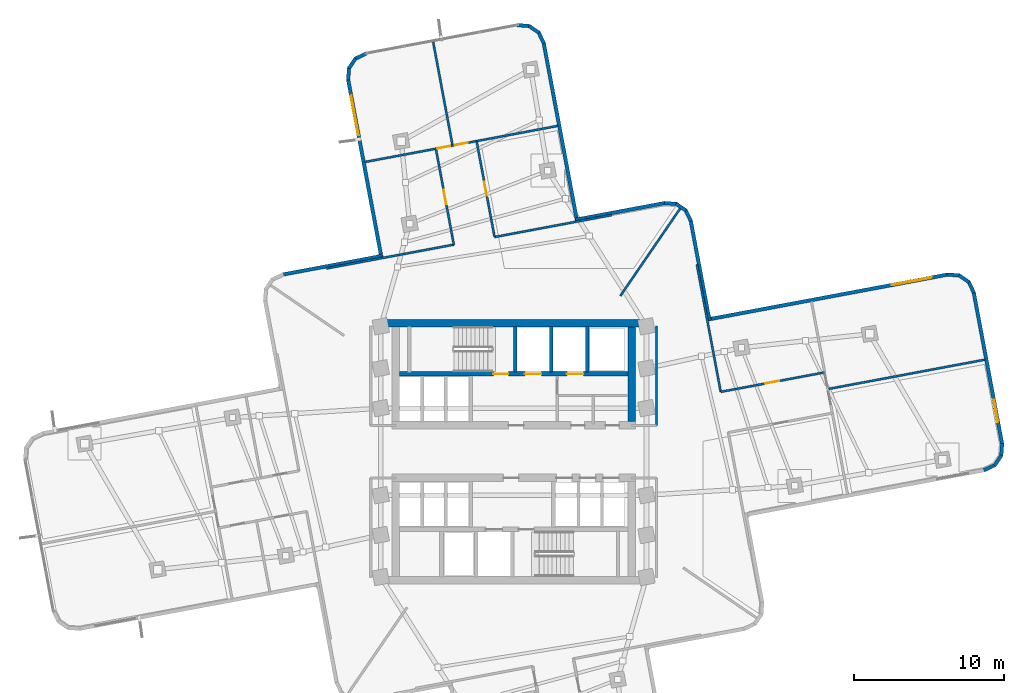
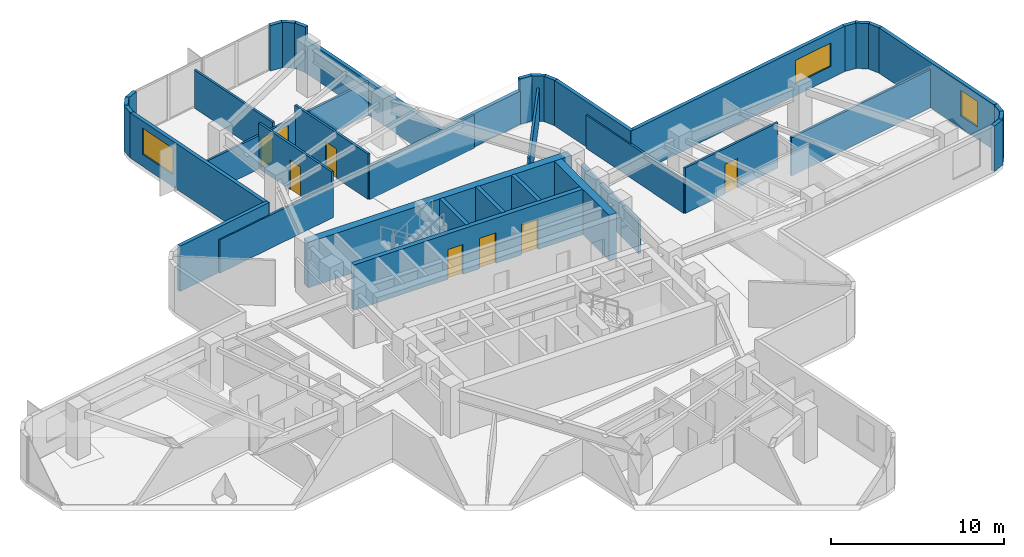
# One storey, part 8 of 12: 39 walls, 8 doors, 3 windows, 11 openings.
"""IFC4 building model written with IfcOpenShell, lengths in metres."""

from ifc_helpers import new_model, si_unit, direction, frame, frame_2d, origin, place, context, subcontext, project, spatial, rectangle, extrude, material, layer, layer_set, type_object, element, fill, save


model = new_model("IFC4")

# Units and contexts
model_context = context("Model", 3, precision=1e-05, world=origin(), true_north=direction((0.0, 1.0)))
body_context = subcontext(model_context, "Body", "Model", "MODEL_VIEW")
ifc_project = project(units=[si_unit("LENGTHUNIT", "METRE"), si_unit("AREAUNIT", "SQUARE_METRE"), si_unit("VOLUMEUNIT", "CUBIC_METRE"), si_unit("PLANEANGLEUNIT", "RADIAN"), si_unit("MASSUNIT", "GRAM", prefix="KILO")], contexts=[model_context])

# Site, building, storey
site_placement = place(None, origin())
site = spatial("IfcSite", under=ifc_project, at=site_placement, CompositionType="ELEMENT")
building_placement = place(site_placement, origin())
building = spatial("IfcBuilding", under=site, at=building_placement, Name="Solmarez Civic Tower", CompositionType="ELEMENT")
storey_placement = place(building_placement, frame((0.0, 0.0, 103.679931640625)))
storey = spatial("IfcBuildingStorey", under=building, at=storey_placement, Name="L27", CompositionType="ELEMENT", Elevation=103.679931640625)

# Walls
ifc_material_1 = material(Name="Concrete C60/75", Category="concrete")
ifc_layer_1 = layer(ifc_material_1, 0.5)
ifc_layer_set_1 = layer_set([ifc_layer_1], Name="Concrete C60/75")
wall_type_1 = type_object("IfcWallType", Name="WALL-CORE-500", PredefinedType="SHEAR", material=ifc_layer_set_1)
wall_1_placement = place(storey_placement, frame((-8.780029296875, 8.56005859375, 0.0), z_axis=(0.0, 0.0, 1.0), x_axis=(1.0, 0.0, 0.0)))
element("IfcWall", 1, at=wall_1_placement, inside=storey, type_object=wall_type_1, Name="L27 Split-Core Structural Wall NCW-N-L27", PredefinedType="SHEAR", context=body_context, shape_type="SweptSolid", body=[
    extrude(rectangle(XDim=17.56005859375, YDim=0.5, at=frame_2d((8.780029296875, 0.0))), origin(), (0.0, 0.0, 1.0), 3.199951171875),
])
wall_2_placement = place(storey_placement, frame((7.8701171875, 8.31005859375, 0.0), z_axis=(0.0, 0.0, 1.0), x_axis=(0.0, -1.0, 0.0)))
element("IfcWall", 2, at=wall_2_placement, inside=storey, type_object=wall_type_1, Name="L27 Split-Core Structural Wall NCW-E-L27", PredefinedType="SHEAR", context=body_context, shape_type="SweptSolid", body=[
    extrude(rectangle(XDim=6.31005859375, YDim=0.5, at=frame_2d((3.155029296875, 0.0))), origin(), (0.0, 0.0, 1.0), 3.199951171875),
])
ifc_material_2 = material(Name="Precast concrete C40/50", Category="concrete")
ifc_layer_2 = layer(ifc_material_2, 0.239990234375)
ifc_layer_set_2 = layer_set([ifc_layer_2], Name="Precast concrete C40/50")
wall_type_2 = type_object("IfcWallType", Name="WALL-EXT-240", PredefinedType="SOLIDWALL", material=ifc_layer_set_2)
wall_3_placement = place(storey_placement, frame((-15.39306640625, 11.799072265625, 0.0), z_axis=(0.0, 0.0, 1.0), x_axis=(0.982891759821, 0.184184115697, 0.0)))
element("IfcWall", 3, at=wall_3_placement, inside=storey, type_object=wall_type_2, Name="L27 Exterior Precast Wall 17", PredefinedType="SOLIDWALL", context=body_context, shape_type="SweptSolid", body=[
    extrude(rectangle(XDim=6.776123046875, YDim=0.239990234375, at=frame_2d((3.38818359375, 0.0))), origin(), (0.0, 0.0, 1.0), 3.199951171875),
])

# Wall, opening, window
wall_4_placement = place(storey_placement, frame((-8.80908203125, 12.93505859375, 0.0), z_axis=(0.0, 0.0, 1.0), x_axis=(-0.184008977601, 0.982924562803, 0.0)))
wall_4 = element("IfcWall", 4, at=wall_4_placement, inside=storey, type_object=wall_type_2, Name="L27 Exterior Precast Wall 20", PredefinedType="SOLIDWALL", context=body_context, shape_type="SweptSolid", body=[
    extrude(rectangle(XDim=12.0751953125, YDim=0.239990234375, at=frame_2d((6.03759765625, 0.0))), origin(), (0.0, 0.0, 1.0), 3.199951171875),
])
opening_1_placement = place(wall_4_placement, frame((8.27490234375, 0.0, 0.85009765625)))
opening_1 = element("IfcOpeningElement", 5, at=opening_1_placement, cuts=wall_4, Name="Opening W-05", PredefinedType="OPENING", context=body_context, shape_type="SweptSolid", body=[
    extrude(rectangle(XDim=2.699951171875, YDim=1.85009765625, at=frame_2d((1.35009765625, 0.925048828125))), frame((0.0, 0.1298828125, 0.0), z_axis=(0.0, -1.0, 0.0), x_axis=(1.0, 0.0, 0.0)), (0.0, 0.0, 1.0), 0.260009765625),
])
ifc_material_3 = material(Name="Solar Control Bronze-Tinted Insulating Glass", Category="glass")
window_type_1 = type_object("IfcWindowType", Name="WIN-2700X1850", PartitioningType="SINGLE_PANEL", PredefinedType="WINDOW", material=ifc_material_3)
window_1_placement = place(opening_1_placement, origin())
window_1 = element("IfcWindow", 6, at=window_1_placement, inside=storey, type_object=window_type_1, Name="L27 Exterior Facade Window 20", OverallHeight=1.85009765625, OverallWidth=2.699951171875, PartitioningType="SINGLE_PANEL", PredefinedType="WINDOW", context=body_context, shape_type="SweptSolid", body=[
    extrude(rectangle(XDim=2.699951171875, YDim=1.85009765625, at=frame_2d((1.35009765625, 0.925048828125))), frame((0.0, 0.030029296875, 0.0), z_axis=(0.0, -1.0, 0.0), x_axis=(1.0, 0.0, 0.0)), (0.0, 0.0, 1.0), 0.06005859375),
])
fill(opening_1, window_1)

# Walls
wall_5_placement = place(storey_placement, frame((-11.028076171875, 24.75390625, 0.0), z_axis=(0.0, 0.0, 1.0), x_axis=(0.077011179273, 0.997030229365, 0.0)))
element("IfcWall", 7, at=wall_5_placement, inside=storey, type_object=wall_type_2, Name="L27 Exterior Precast Wall 21", PredefinedType="SOLIDWALL", context=body_context, shape_type="SweptSolid", body=[
    extrude(rectangle(XDim=0.83056640625, YDim=0.239990234375, at=frame_2d((0.415283203125, 0.0))), origin(), (0.0, 0.0, 1.0), 3.199951171875),
])
wall_6_placement = place(storey_placement, frame((-10.97998046875, 25.535888671875, 0.0), z_axis=(0.0, 0.0, 1.0), x_axis=(0.563941688624, 0.825814611055, 0.0)))
element("IfcWall", 8, at=wall_6_placement, inside=storey, type_object=wall_type_2, Name="L27 Exterior Precast Wall 22", PredefinedType="SOLIDWALL", context=body_context, shape_type="SweptSolid", body=[
    extrude(rectangle(XDim=0.81396484375, YDim=0.239990234375, at=frame_2d((0.406982421875, 0.0))), origin(), (0.0, 0.0, 1.0), 3.199951171875),
])
wall_7_placement = place(storey_placement, frame((-10.55810546875, 26.176025390625, 0.0), z_axis=(0.0, 0.0, 1.0), x_axis=(0.902044756706, 0.431642510533, 0.0)))
element("IfcWall", 9, at=wall_7_placement, inside=storey, type_object=wall_type_2, Name="L27 Exterior Precast Wall 23", PredefinedType="SOLIDWALL", context=body_context, shape_type="SweptSolid", body=[
    extrude(rectangle(XDim=0.83154296875, YDim=0.239990234375, at=frame_2d((0.415771484375, 0.0))), origin(), (0.0, 0.0, 1.0), 3.199951171875),
])
wall_8_placement = place(storey_placement, frame((0.237060546875, 28.4150390625, 0.0), z_axis=(0.0, 0.0, 1.0), x_axis=(0.997028485347, -0.077033754987, 0.0)))
element("IfcWall", 10, at=wall_8_placement, inside=storey, type_object=wall_type_2, Name="L27 Exterior Precast Wall 25", PredefinedType="SOLIDWALL", context=body_context, shape_type="SweptSolid", body=[
    extrude(rectangle(XDim=0.830322265625, YDim=0.239990234375, at=frame_2d((0.4150390625, 0.0))), origin(), (0.0, 0.0, 1.0), 3.199951171875),
])
wall_9_placement = place(storey_placement, frame((1.01904296875, 28.366943359375, 0.0), z_axis=(0.0, 0.0, 1.0), x_axis=(0.825719176392, -0.564081414105, 0.0)))
element("IfcWall", 11, at=wall_9_placement, inside=storey, type_object=wall_type_2, Name="L27 Exterior Precast Wall 26", PredefinedType="SOLIDWALL", context=body_context, shape_type="SweptSolid", body=[
    extrude(rectangle(XDim=0.813720703125, YDim=0.239990234375, at=frame_2d((0.40673828125, 0.0))), origin(), (0.0, 0.0, 1.0), 3.199951171875),
])
wall_10_placement = place(storey_placement, frame((1.658935546875, 27.945068359375, 0.0), z_axis=(0.0, 0.0, 1.0), x_axis=(0.431881390908, -0.901930409836, 0.0)))
element("IfcWall", 12, at=wall_10_placement, inside=storey, type_object=wall_type_2, Name="L27 Exterior Precast Wall 27", PredefinedType="SOLIDWALL", context=body_context, shape_type="SweptSolid", body=[
    extrude(rectangle(XDim=0.83154296875, YDim=0.239990234375, at=frame_2d((0.415771484375, 0.0))), origin(), (0.0, 0.0, 1.0), 3.199951171875),
])
wall_11_placement = place(storey_placement, frame((2.001953125, 27.242919921875, 0.0), z_axis=(0.0, 0.0, 1.0), x_axis=(0.184106644671, -0.982906273959, 0.0)))
element("IfcWall", 13, at=wall_11_placement, inside=storey, type_object=wall_type_2, Name="L27 Exterior Precast Wall 28", PredefinedType="SOLIDWALL", context=body_context, shape_type="SweptSolid", body=[
    extrude(rectangle(XDim=12.0751953125, YDim=0.239990234375, at=frame_2d((6.03759765625, 0.0))), origin(), (0.0, 0.0, 1.0), 2.345947265625),
])
wall_12_placement = place(storey_placement, frame((4.113037109375, 15.449951171875, 0.0), z_axis=(0.0, 0.0, 1.0), x_axis=(0.982913564854, 0.18406771587, 0.0)))
element("IfcWall", 14, at=wall_12_placement, inside=storey, type_object=wall_type_2, Name="L27 Exterior Precast Wall 31", PredefinedType="SOLIDWALL", context=body_context, shape_type="SweptSolid", body=[
    extrude(rectangle(XDim=6.07470703125, YDim=0.239990234375, at=frame_2d((3.037353515625, 0.0))), origin(), (0.0, 0.0, 1.0), 2.345947265625),
])
wall_13_placement = place(storey_placement, frame((10.033935546875, 16.56494140625, 0.0), z_axis=(0.0, 0.0, 1.0), x_axis=(0.997030229365, -0.077011179273, 0.0)))
element("IfcWall", 15, at=wall_13_placement, inside=storey, type_object=wall_type_2, Name="L27 Exterior Precast Wall 32", PredefinedType="SOLIDWALL", context=body_context, shape_type="SweptSolid", body=[
    extrude(rectangle(XDim=0.83056640625, YDim=0.239990234375, at=frame_2d((0.415283203125, 0.0))), origin(), (0.0, 0.0, 1.0), 3.199951171875),
])
wall_14_placement = place(storey_placement, frame((10.81591796875, 16.51708984375, 0.0), z_axis=(0.0, 0.0, 1.0), x_axis=(0.825814611055, -0.563941688624, 0.0)))
element("IfcWall", 16, at=wall_14_placement, inside=storey, type_object=wall_type_2, Name="L27 Exterior Precast Wall 33", PredefinedType="SOLIDWALL", context=body_context, shape_type="SweptSolid", body=[
    extrude(rectangle(XDim=0.81396484375, YDim=0.239990234375, at=frame_2d((0.406982421875, 0.0))), origin(), (0.0, 0.0, 1.0), 3.199951171875),
])
wall_15_placement = place(storey_placement, frame((11.4560546875, 16.094970703125, 0.0), z_axis=(0.0, 0.0, 1.0), x_axis=(0.431642510533, -0.902044756706, 0.0)))
element("IfcWall", 17, at=wall_15_placement, inside=storey, type_object=wall_type_2, Name="L27 Exterior Precast Wall 34", PredefinedType="SOLIDWALL", context=body_context, shape_type="SweptSolid", body=[
    extrude(rectangle(XDim=0.83154296875, YDim=0.239990234375, at=frame_2d((0.415771484375, 0.0))), origin(), (0.0, 0.0, 1.0), 3.199951171875),
])
wall_16_placement = place(storey_placement, frame((11.799072265625, 15.39306640625, 0.0), z_axis=(0.0, 0.0, 1.0), x_axis=(0.184184115697, -0.982891759821, 0.0)))
element("IfcWall", 18, at=wall_16_placement, inside=storey, type_object=wall_type_2, Name="L27 Exterior Precast Wall 35", PredefinedType="SOLIDWALL", context=body_context, shape_type="SweptSolid", body=[
    extrude(rectangle(XDim=6.776123046875, YDim=0.239990234375, at=frame_2d((3.38818359375, 0.0))), origin(), (0.0, 0.0, 1.0), 3.199951171875),
])

# Wall, opening, window
wall_17_placement = place(storey_placement, frame((12.93505859375, 8.80908203125, 0.0), z_axis=(0.0, 0.0, 1.0), x_axis=(0.982922588066, 0.184019525782, 0.0)))
wall_17 = element("IfcWall", 19, at=wall_17_placement, inside=storey, type_object=wall_type_2, Name="L27 Exterior Precast Wall 38", PredefinedType="SOLIDWALL", context=body_context, shape_type="SweptSolid", body=[
    extrude(rectangle(XDim=16.274658203125, YDim=0.239990234375, at=frame_2d((8.13720703125, 0.0))), origin(), (0.0, 0.0, 1.0), 3.199951171875),
])
opening_2_placement = place(wall_17_placement, frame((12.47509765625, 0.0, 0.85009765625)))
opening_2 = element("IfcOpeningElement", 20, at=opening_2_placement, cuts=wall_17, Name="Opening W-09", PredefinedType="OPENING", context=body_context, shape_type="SweptSolid", body=[
    extrude(rectangle(XDim=2.699951171875, YDim=1.64990234375, at=frame_2d((1.35009765625, 0.824951171875))), frame((0.0, 0.1298828125, 0.0), z_axis=(0.0, -1.0, 0.0), x_axis=(1.0, 0.0, 0.0)), (0.0, 0.0, 1.0), 0.260009765625),
])
window_type_2 = type_object("IfcWindowType", Name="WIN-2700X1650", PartitioningType="SINGLE_PANEL", PredefinedType="WINDOW", material=ifc_material_3)
window_2_placement = place(opening_2_placement, origin())
window_2 = element("IfcWindow", 21, at=window_2_placement, inside=storey, type_object=window_type_2, Name="L27 Exterior Facade Window 38", OverallHeight=1.64990234375, OverallWidth=2.699951171875, PartitioningType="SINGLE_PANEL", PredefinedType="WINDOW", context=body_context, shape_type="SweptSolid", body=[
    extrude(rectangle(XDim=2.699951171875, YDim=1.64990234375, at=frame_2d((1.35009765625, 0.824951171875))), frame((0.0, 0.030029296875, 0.0), z_axis=(0.0, -1.0, 0.0), x_axis=(1.0, 0.0, 0.0)), (0.0, 0.0, 1.0), 0.06005859375),
])
fill(opening_2, window_2)

# Walls
wall_18_placement = place(storey_placement, frame((28.882080078125, 11.801025390625, 0.0), z_axis=(0.0, 0.0, 1.0), x_axis=(0.997028485347, -0.077033754987, 0.0)))
element("IfcWall", 22, at=wall_18_placement, inside=storey, type_object=wall_type_2, Name="L27 Exterior Precast Wall 39", PredefinedType="SOLIDWALL", context=body_context, shape_type="SweptSolid", body=[
    extrude(rectangle(XDim=0.830322265625, YDim=0.239990234375, at=frame_2d((0.4150390625, 0.0))), origin(), (0.0, 0.0, 1.0), 3.199951171875),
])
wall_19_placement = place(storey_placement, frame((29.6640625, 11.7529296875, 0.0), z_axis=(0.0, 0.0, 1.0), x_axis=(0.825160141847, -0.564898876177, 0.0)))
element("IfcWall", 23, at=wall_19_placement, inside=storey, type_object=wall_type_2, Name="L27 Exterior Precast Wall 40", PredefinedType="SOLIDWALL", context=body_context, shape_type="SweptSolid", body=[
    extrude(rectangle(XDim=0.814208984375, YDim=0.239990234375, at=frame_2d((0.4072265625, 0.0))), origin(), (0.0, 0.0, 1.0), 3.199951171875),
])
wall_20_placement = place(storey_placement, frame((30.303955078125, 11.330078125, 0.0), z_axis=(0.0, 0.0, 1.0), x_axis=(0.433294434868, -0.901252424525, 0.0)))
element("IfcWall", 24, at=wall_20_placement, inside=storey, type_object=wall_type_2, Name="L27 Exterior Precast Wall 41", PredefinedType="SOLIDWALL", context=body_context, shape_type="SweptSolid", body=[
    extrude(rectangle(XDim=0.8310546875, YDim=0.239990234375, at=frame_2d((0.41552734375, 0.0))), origin(), (0.0, 0.0, 1.0), 3.199951171875),
])

# Wall, opening, window
wall_21_placement = place(storey_placement, frame((30.64794921875, 10.62890625, 0.0), z_axis=(0.0, 0.0, 1.0), x_axis=(0.183929967783, -0.982939350597, 0.0)))
wall_21 = element("IfcWall", 25, at=wall_21_placement, inside=storey, type_object=wall_type_2, Name="L27 Exterior Precast Wall 42", PredefinedType="SOLIDWALL", context=body_context, shape_type="SweptSolid", body=[
    extrude(rectangle(XDim=10.31884765625, YDim=0.239990234375, at=frame_2d((5.159423828125, 0.0))), origin(), (0.0, 0.0, 1.0), 3.199951171875),
])
opening_3_placement = place(wall_21_placement, frame((7.299072265625, 0.0, 0.85009765625)))
opening_3 = element("IfcOpeningElement", 26, at=opening_3_placement, cuts=wall_21, Name="Opening W-13", PredefinedType="OPENING", context=body_context, shape_type="SweptSolid", body=[
    extrude(rectangle(XDim=1.5, YDim=1.800048828125, at=frame_2d((0.75, 0.89990234375))), frame((0.0, 0.1298828125, 0.0), z_axis=(0.0, -1.0, 0.0), x_axis=(1.0, 0.0, 0.0)), (0.0, 0.0, 1.0), 0.260009765625),
])
window_type_3 = type_object("IfcWindowType", Name="WIN-1500X1800", PartitioningType="SINGLE_PANEL", PredefinedType="WINDOW", material=ifc_material_3)
window_3_placement = place(opening_3_placement, origin())
window_3 = element("IfcWindow", 27, at=window_3_placement, inside=storey, type_object=window_type_3, Name="L27 Exterior Facade Window 42", OverallHeight=1.800048828125, OverallWidth=1.5, PartitioningType="SINGLE_PANEL", PredefinedType="WINDOW", context=body_context, shape_type="SweptSolid", body=[
    extrude(rectangle(XDim=1.5, YDim=1.800048828125, at=frame_2d((0.75, 0.89990234375))), frame((0.0, 0.030029296875, 0.0), z_axis=(0.0, -1.0, 0.0), x_axis=(1.0, 0.0, 0.0)), (0.0, 0.0, 1.0), 0.06005859375),
])
fill(opening_3, window_3)

# Walls
wall_22_placement = place(storey_placement, frame((32.54296875, 0.535888671875, 0.0), z_axis=(0.0, 0.0, 1.0), x_axis=(-0.07586448817, -0.997118137151, 0.0)))
element("IfcWall", 28, at=wall_22_placement, inside=storey, type_object=wall_type_2, Name="L27 Exterior Precast Wall 43", PredefinedType="SOLIDWALL", context=body_context, shape_type="SweptSolid", body=[
    extrude(rectangle(XDim=0.830322265625, YDim=0.239990234375, at=frame_2d((0.4150390625, 0.0))), origin(), (0.0, 0.0, 1.0), 3.199951171875),
])
wall_23_placement = place(storey_placement, frame((32.49609375, -0.24609375, 0.0), z_axis=(0.0, 0.0, 1.0), x_axis=(-0.56454433247, -0.825402748163, 0.0)))
element("IfcWall", 29, at=wall_23_placement, inside=storey, type_object=wall_type_2, Name="L27 Exterior Precast Wall 44", PredefinedType="SOLIDWALL", context=body_context, shape_type="SweptSolid", body=[
    extrude(rectangle(XDim=0.815185546875, YDim=0.239990234375, at=frame_2d((0.40771484375, 0.0))), origin(), (0.0, 0.0, 1.0), 3.199951171875),
])
wall_24_placement = place(storey_placement, frame((32.072998046875, -0.886962890625, 0.0), z_axis=(0.0, 0.0, 1.0), x_axis=(-0.901930409836, -0.431881390908, 0.0)))
element("IfcWall", 30, at=wall_24_placement, inside=storey, type_object=wall_type_2, Name="L27 Exterior Precast Wall 45", PredefinedType="SOLIDWALL", context=body_context, shape_type="SweptSolid", body=[
    extrude(rectangle(XDim=0.83154296875, YDim=0.239990234375, at=frame_2d((0.415771484375, 0.0))), origin(), (0.0, 0.0, 1.0), 3.199951171875),
])
ifc_material_4 = material(Name="Gypsum Board Acoustic Steel-Stud Partition", Category="steel")
ifc_layer_3 = layer(ifc_material_4, 0.14990234375)
ifc_layer_set_3 = layer_set([ifc_layer_3], Name="Gypsum Board Acoustic Steel-Stud Partition")
wall_type_3 = type_object("IfcWallType", Name="WALL-INT-FIRE-150", PredefinedType="PARTITIONING", material=ifc_layer_set_3)
wall_25_placement = place(storey_placement, frame((9.52001953125, 1.75, 0.0), z_axis=(0.0, 0.0, 1.0), x_axis=(0.0, 1.0, 0.0)))
element("IfcWall", 31, at=wall_25_placement, inside=storey, type_object=wall_type_3, Name="L27 Interior Partition CHW-L27-EN1", PredefinedType="PARTITIONING", context=body_context, shape_type="SweptSolid", body=[
    extrude(rectangle(XDim=6.6298828125, YDim=0.14990234375, at=frame_2d((3.31494140625, 0.0))), origin(), (0.0, 0.0, 1.0), 2.345947265625),
])
ifc_layer_4 = layer(ifc_material_4, 0.14501953125)
ifc_layer_set_4 = layer_set([ifc_layer_4], Name="Gypsum Board Acoustic Steel-Stud Partition")
wall_type_4 = type_object("IfcWallType", Name="WALL-INT-PART-150", PredefinedType="PARTITIONING", material=ifc_layer_set_4)
wall_26_placement = place(storey_placement, frame((7.10791015625, 10.3798828125, 0.0), z_axis=(0.0, 0.0, 1.0), x_axis=(0.564900413187, 0.825159089619, 0.0)))
element("IfcWall", 32, at=wall_26_placement, inside=storey, type_object=wall_type_4, Name="L27 Interior Partition PT-L27-QDIV-1", PredefinedType="PARTITIONING", context=body_context, shape_type="SweptSolid", body=[
    extrude(rectangle(XDim=7.073974609375, YDim=0.14501953125, at=frame_2d((3.537109375, 0.0))), origin(), (0.0, 0.0, 1.0), 2.345947265625),
])
wall_27_placement = place(storey_placement, frame((13.7939453125, 3.97509765625, 0.0), z_axis=(0.0, 0.0, 1.0), x_axis=(-0.183947683851, 0.982936035358, 0.0)))
element("IfcWall", 33, at=wall_27_placement, inside=storey, type_object=wall_type_4, Name="L27 Interior Partition PT-L27-E-EFL", PredefinedType="PARTITIONING", context=body_context, shape_type="SweptSolid", body=[
    extrude(rectangle(XDim=8.649658203125, YDim=0.14501953125, at=frame_2d((4.32470703125, 0.0))), origin(), (0.0, 0.0, 1.0), 2.345947265625),
])

# Wall, opening, door
wall_28_placement = place(storey_placement, frame((20.721923828125, 5.281982421875, 0.0), z_axis=(0.0, 0.0, 1.0), x_axis=(-0.982936027627, -0.183947725163, 0.0)))
wall_28 = element("IfcWall", 34, at=wall_28_placement, inside=storey, type_object=wall_type_4, Name="L27 Interior Partition PT-L27-E-SL", PredefinedType="PARTITIONING", context=body_context, shape_type="SweptSolid", body=[
    extrude(rectangle(XDim=7.05029296875, YDim=0.14501953125, at=frame_2d((3.525146484375, 0.0))), origin(), (0.0, 0.0, 1.0), 3.199951171875),
])
opening_4_placement = place(wall_28_placement, frame((3.074951171875, 0.0, 0.0)))
opening_4 = element("IfcOpeningElement", 35, at=opening_4_placement, cuts=wall_28, Name="Opening D-10", PredefinedType="OPENING", context=body_context, shape_type="SweptSolid", body=[
    extrude(rectangle(XDim=0.949951171875, YDim=2.080078125, at=frame_2d((0.47509765625, 1.0400390625))), frame((0.0, 0.08251953125, 0.0), z_axis=(0.0, -1.0, 0.0), x_axis=(1.0, 0.0, 0.0)), (0.0, 0.0, 1.0), 0.1650390625),
])
ifc_material_5 = material(Name="Solid-Core Timber Ministry Office Door", Category="wood")
door_type_1 = type_object("IfcDoorType", Name="DOOR-INT-950", OperationType="NOTDEFINED", PredefinedType="DOOR", material=ifc_material_5)
door_1_placement = place(opening_4_placement, origin())
door_1 = element("IfcDoor", 36, at=door_1_placement, inside=storey, type_object=door_type_1, Name="L27 Tribunal Mediation Conference Room East Door", OperationType="SINGLE_SWING_LEFT", OverallHeight=2.080078125, OverallWidth=0.949951171875, PredefinedType="DOOR", context=body_context, shape_type="SweptSolid", body=[
    extrude(rectangle(XDim=0.949951171875, YDim=2.080078125, at=frame_2d((0.47509765625, 1.0400390625))), frame((0.0, 0.02490234375, 0.0), z_axis=(0.0, -1.0, 0.0), x_axis=(1.0, 0.0, 0.0)), (0.0, 0.0, 1.0), 0.050048828125),
])
fill(opening_4, door_1)

# Walls
wall_29_placement = place(storey_placement, frame((20.989013671875, 4.181884765625, 0.0), z_axis=(0.0, 0.0, 1.0), x_axis=(0.982930571593, 0.183976877429, 0.0)))
element("IfcWall", 37, at=wall_29_placement, inside=storey, type_object=wall_type_4, Name="L27 Interior Partition PT-L27-E-TM", PredefinedType="PARTITIONING", context=body_context, shape_type="SweptSolid", body=[
    extrude(rectangle(XDim=10.594970703125, YDim=0.14501953125, at=frame_2d((5.29736328125, 0.0))), origin(), (0.0, 0.0, 1.0), 2.692138671875),
])
wall_30_placement = place(storey_placement, frame((-3.97509765625, 13.7939453125, 0.0), z_axis=(0.0, 0.0, 1.0), x_axis=(-0.982936035358, -0.183947683851, 0.0)))
element("IfcWall", 38, at=wall_30_placement, inside=storey, type_object=wall_type_4, Name="L27 Interior Partition PT-L27-N-EFL", PredefinedType="PARTITIONING", context=body_context, shape_type="SweptSolid", body=[
    extrude(rectangle(XDim=8.649658203125, YDim=0.14501953125, at=frame_2d((4.32470703125, 0.0))), origin(), (0.0, 0.0, 1.0), 2.345947265625),
])
wall_31_placement = place(storey_placement, frame((6.531982421875, 15.760986328125, 0.0), z_axis=(0.0, 0.0, 1.0), x_axis=(-0.98292290903, -0.184017811376, 0.0)))
element("IfcWall", 39, at=wall_31_placement, inside=storey, type_object=wall_type_4, Name="L27 Interior Partition PT-L27-N-EFR", PredefinedType="PARTITIONING", context=body_context, shape_type="SweptSolid", body=[
    extrude(rectangle(XDim=7.94970703125, YDim=0.14501953125, at=frame_2d((3.974853515625, 0.0))), origin(), (0.0, 0.0, 1.0), 2.345947265625),
])

# Wall, opening, door
wall_32_placement = place(storey_placement, frame((-5.180908203125, 20.180908203125, 0.0), z_axis=(0.0, 0.0, 1.0), x_axis=(0.183973297475, -0.982931241652, 0.0)))
wall_32 = element("IfcWall", 40, at=wall_32_placement, inside=storey, type_object=wall_type_4, Name="L27 Interior Partition PT-L27-N-SL", PredefinedType="PARTITIONING", context=body_context, shape_type="SweptSolid", body=[
    extrude(rectangle(XDim=6.499755859375, YDim=0.14501953125, at=frame_2d((3.25, 0.0))), origin(), (0.0, 0.0, 1.0), 3.199951171875),
])
opening_5_placement = place(wall_32_placement, frame((2.800048828125, 0.0, 0.0)))
opening_5 = element("IfcOpeningElement", 41, at=opening_5_placement, cuts=wall_32, Name="Opening D-10", PredefinedType="OPENING", context=body_context, shape_type="SweptSolid", body=[
    extrude(rectangle(XDim=0.949951171875, YDim=2.080078125, at=frame_2d((0.47509765625, 1.0400390625))), frame((0.0, 0.08251953125, 0.0), z_axis=(0.0, -1.0, 0.0), x_axis=(1.0, 0.0, 0.0)), (0.0, 0.0, 1.0), 0.1650390625),
])
door_2_placement = place(opening_5_placement, origin())
door_2 = element("IfcDoor", 42, at=door_2_placement, inside=storey, type_object=door_type_1, Name="L27 Counsel Administration Office North Door", OperationType="SINGLE_SWING_LEFT", OverallHeight=2.080078125, OverallWidth=0.949951171875, PredefinedType="DOOR", context=body_context, shape_type="SweptSolid", body=[
    extrude(rectangle(XDim=0.949951171875, YDim=2.080078125, at=frame_2d((0.47509765625, 1.0400390625))), frame((0.0, 0.02490234375, 0.0), z_axis=(0.0, -1.0, 0.0), x_axis=(1.0, 0.0, 0.0)), (0.0, 0.0, 1.0), 0.050048828125),
])
fill(opening_5, door_2)

wall_33_placement = place(storey_placement, frame((-1.27197265625, 14.300048828125, 0.0), z_axis=(0.0, 0.0, 1.0), x_axis=(-0.184009586708, 0.982924448775, 0.0)))
wall_33 = element("IfcWall", 43, at=wall_33_placement, inside=storey, type_object=wall_type_4, Name="L27 Interior Partition PT-L27-N-SR", PredefinedType="PARTITIONING", context=body_context, shape_type="SweptSolid", body=[
    extrude(rectangle(XDim=6.5, YDim=0.14501953125, at=frame_2d((3.25, 0.0))), origin(), (0.0, 0.0, 1.0), 3.199951171875),
])
opening_6_placement = place(wall_33_placement, frame((2.800048828125, 0.0, 0.0)))
opening_6 = element("IfcOpeningElement", 44, at=opening_6_placement, cuts=wall_33, Name="Opening D-10", PredefinedType="OPENING", context=body_context, shape_type="SweptSolid", body=[
    extrude(rectangle(XDim=0.949951171875, YDim=2.080078125, at=frame_2d((0.47509765625, 1.0400390625))), frame((0.0, 0.08251953125, 0.0), z_axis=(0.0, -1.0, 0.0), x_axis=(1.0, 0.0, 0.0)), (0.0, 0.0, 1.0), 0.1650390625),
])
door_3_placement = place(opening_6_placement, origin())
door_3 = element("IfcDoor", 45, at=door_3_placement, inside=storey, type_object=door_type_1, Name="L27 Public Reading Room North Door", OperationType="SINGLE_SWING_RIGHT", OverallHeight=2.080078125, OverallWidth=0.949951171875, PredefinedType="DOOR", context=body_context, shape_type="SweptSolid", body=[
    extrude(rectangle(XDim=0.949951171875, YDim=2.080078125, at=frame_2d((0.47509765625, 1.0400390625))), frame((0.0, 0.02490234375, 0.0), z_axis=(0.0, -1.0, 0.0), x_axis=(1.0, 0.0, 0.0)), (0.0, 0.0, 1.0), 0.050048828125),
])
fill(opening_6, door_3)

# Wall
wall_34_placement = place(storey_placement, frame((-4.0810546875, 20.447998046875, 0.0), z_axis=(0.0, 0.0, 1.0), x_axis=(-0.18384493789, 0.982955257787, 0.0)))
element("IfcWall", 46, at=wall_34_placement, inside=storey, type_object=wall_type_4, Name="L27 Interior Partition PT-L27-N-TM", PredefinedType="PARTITIONING", context=body_context, shape_type="SweptSolid", body=[
    extrude(rectangle(XDim=6.9453125, YDim=0.14501953125, at=frame_2d((3.47265625, 0.0))), origin(), (0.0, 0.0, 1.0), 2.692138671875),
])

# Wall, openings, doors
wall_35_placement = place(storey_placement, frame((-9.9140625, 19.2958984375, 0.0), z_axis=(0.0, 0.0, 1.0), x_axis=(0.982932308489, 0.183967597498, 0.0)))
wall_35 = element("IfcWall", 47, at=wall_35_placement, inside=storey, type_object=wall_type_4, Name="L27 Interior Partition PT-L27-N-END", PredefinedType="PARTITIONING", context=body_context, shape_type="SweptSolid", body=[
    extrude(rectangle(XDim=13.09033203125, YDim=0.14501953125, at=frame_2d((6.545166015625, 0.0))), origin(), (0.0, 0.0, 1.0), 2.345947265625),
])
opening_7_placement = place(wall_35_placement, frame((6.114990234375, 0.0, 0.0)))
opening_7 = element("IfcOpeningElement", 48, at=opening_7_placement, cuts=wall_35, Name="Opening D-14", PredefinedType="OPENING", context=body_context, shape_type="SweptSolid", body=[
    extrude(rectangle(XDim=0.860107421875, YDim=2.0400390625, at=frame_2d((0.43017578125, 1.02001953125))), frame((0.0, 0.08251953125, 0.0), z_axis=(0.0, -1.0, 0.0), x_axis=(1.0, 0.0, 0.0)), (0.0, 0.0, 1.0), 0.1650390625),
])
opening_8_placement = place(wall_35_placement, frame((4.9150390625, 0.0, 0.0)))
opening_8 = element("IfcOpeningElement", 49, at=opening_8_placement, cuts=wall_35, Name="Opening D-14", PredefinedType="OPENING", context=body_context, shape_type="SweptSolid", body=[
    extrude(rectangle(XDim=0.860107421875, YDim=2.0400390625, at=frame_2d((0.43017578125, 1.02001953125))), frame((0.0, 0.08251953125, 0.0), z_axis=(0.0, -1.0, 0.0), x_axis=(1.0, 0.0, 0.0)), (0.0, 0.0, 1.0), 0.1650390625),
])
ifc_material_6 = material(Name="Timber Storage and Pantry Door", Category="wood")
door_type_2 = type_object("IfcDoorType", Name="DOOR-INT-850", OperationType="NOTDEFINED", PredefinedType="DOOR", material=ifc_material_6)
door_4_placement = place(opening_7_placement, origin())
door_4 = element("IfcDoor", 50, at=door_4_placement, inside=storey, type_object=door_type_2, Name="L27 Tribunal Mediation Conference Room Sixth North Door", OperationType="SINGLE_SWING_RIGHT", OverallHeight=2.0400390625, OverallWidth=0.860107421875, PredefinedType="DOOR", context=body_context, shape_type="SweptSolid", body=[
    extrude(rectangle(XDim=0.860107421875, YDim=2.0400390625, at=frame_2d((0.43017578125, 1.02001953125))), frame((0.0, 0.02490234375, 0.0), z_axis=(0.0, -1.0, 0.0), x_axis=(1.0, 0.0, 0.0)), (0.0, 0.0, 1.0), 0.050048828125),
])
fill(opening_7, door_4)
door_5_placement = place(opening_8_placement, origin())
door_5 = element("IfcDoor", 51, at=door_5_placement, inside=storey, type_object=door_type_2, Name="L27 Delegates Lounge Fifth North Door", OperationType="SINGLE_SWING_LEFT", OverallHeight=2.0400390625, OverallWidth=0.860107421875, PredefinedType="DOOR", context=body_context, shape_type="SweptSolid", body=[
    extrude(rectangle(XDim=0.860107421875, YDim=2.0400390625, at=frame_2d((0.43017578125, 1.02001953125))), frame((0.0, 0.02490234375, 0.0), z_axis=(0.0, -1.0, 0.0), x_axis=(1.0, 0.0, 0.0)), (0.0, 0.0, 1.0), 0.050048828125),
])
fill(opening_8, door_5)

ifc_material_7 = material(Name="Concrete C50/60", Category="concrete")
ifc_layer_5 = layer(ifc_material_7, 0.300048828125)
ifc_layer_set_5 = layer_set([ifc_layer_5], Name="Concrete C50/60")
wall_type_5 = type_object("IfcWallType", Name="WALL-STR-300", PredefinedType="SOLIDWALL", material=ifc_layer_set_5)
wall_36_placement = place(storey_placement, frame((7.6201171875, 5.179931640625, 0.0), z_axis=(0.0, 0.0, 1.0), x_axis=(-1.0, 0.0, 0.0)))
wall_36 = element("IfcWall", 52, at=wall_36_placement, inside=storey, type_object=wall_type_5, Name="L27 Split-Core Structural Wall NCW-M-L27", PredefinedType="SOLIDWALL", context=body_context, shape_type="SweptSolid", body=[
    extrude(rectangle(XDim=15.240234375, YDim=0.300048828125, at=frame_2d((7.6201171875, 0.0))), origin(), (0.0, 0.0, 1.0), 3.199951171875),
])
opening_9_placement = place(wall_36_placement, frame((5.77001953125, 0.0, 0.0)))
opening_9 = element("IfcOpeningElement", 53, at=opening_9_placement, cuts=wall_36, Name="Opening LD-02", PredefinedType="OPENING", context=body_context, shape_type="SweptSolid", body=[
    extrude(rectangle(XDim=1.10009765625, YDim=2.14990234375, at=frame_2d((0.550048828125, 1.074951171875))), frame((0.0, 0.159912109375, 0.0), z_axis=(0.0, -1.0, 0.0), x_axis=(1.0, 0.0, 0.0)), (0.0, 0.0, 1.0), 0.320068359375),
])
opening_10_placement = place(wall_36_placement, frame((2.969970703125, 0.0, 0.0)))
opening_10 = element("IfcOpeningElement", 54, at=opening_10_placement, cuts=wall_36, Name="Opening LD-03", PredefinedType="OPENING", context=body_context, shape_type="SweptSolid", body=[
    extrude(rectangle(XDim=1.10009765625, YDim=2.14990234375, at=frame_2d((0.550048828125, 1.074951171875))), frame((0.0, 0.159912109375, 0.0), z_axis=(0.0, -1.0, 0.0), x_axis=(1.0, 0.0, 0.0)), (0.0, 0.0, 1.0), 0.320068359375),
])
opening_11_placement = place(wall_36_placement, frame((7.969970703125, 0.0, 0.0)))
opening_11 = element("IfcOpeningElement", 55, at=opening_11_placement, cuts=wall_36, Name="Opening D-05", PredefinedType="OPENING", context=body_context, shape_type="SweptSolid", body=[
    extrude(rectangle(XDim=1.0, YDim=2.10009765625, at=frame_2d((0.5, 1.050048828125))), frame((0.0, 0.159912109375, 0.0), z_axis=(0.0, -1.0, 0.0), x_axis=(1.0, 0.0, 0.0)), (0.0, 0.0, 1.0), 0.320068359375),
])
ifc_material_8 = material(Name="Fire-Rated Stairwell Exit Door", Category="wood")
door_type_3 = type_object("IfcDoorType", Name="DOOR-FD90-1000", OperationType="NOTDEFINED", PredefinedType="DOOR", material=ifc_material_8)
door_6_placement = place(opening_11_placement, origin())
door_6 = element("IfcDoor", 56, at=door_6_placement, inside=storey, type_object=door_type_3, Name="L27 North Exit Stair Door ST-1", OperationType="SINGLE_SWING_RIGHT", OverallHeight=2.10009765625, OverallWidth=1.0, PredefinedType="DOOR", context=body_context, shape_type="SweptSolid", body=[
    extrude(rectangle(XDim=1.0, YDim=2.10009765625, at=frame_2d((0.5, 1.050048828125))), frame((0.0, 0.02490234375, 0.0), z_axis=(0.0, -1.0, 0.0), x_axis=(1.0, 0.0, 0.0)), (0.0, 0.0, 1.0), 0.050048828125),
])
fill(opening_11, door_6)
ifc_material_9 = material(Name="Stainless Firefighting Lift Landing Sliding Door", Category="aluminium")
door_type_4 = type_object("IfcDoorType", Name="DOOR-LD-FF-1100", OperationType="DOUBLE_DOOR_SLIDING", PredefinedType="DOOR", material=ifc_material_9)
door_7_placement = place(opening_9_placement, origin())
door_7 = element("IfcDoor", 57, at=door_7_placement, inside=storey, type_object=door_type_4, Name="L27 Firefighting Lift Landing Door FFL-1", OperationType="DOUBLE_DOOR_SLIDING", OverallHeight=2.14990234375, OverallWidth=1.10009765625, PredefinedType="DOOR", context=body_context, shape_type="SweptSolid", body=[
    extrude(rectangle(XDim=1.10009765625, YDim=2.14990234375, at=frame_2d((0.550048828125, 1.074951171875))), frame((0.0, 0.02490234375, 0.0), z_axis=(0.0, -1.0, 0.0), x_axis=(1.0, 0.0, 0.0)), (0.0, 0.0, 1.0), 0.050048828125),
])
fill(opening_9, door_7)
ifc_material_10 = material(Name="Stainless Stretcher Lift Landing Sliding Door", Category="aluminium")
door_type_5 = type_object("IfcDoorType", Name="DOOR-LD-SV-1100", OperationType="DOUBLE_DOOR_SLIDING", PredefinedType="DOOR", material=ifc_material_10)
door_8_placement = place(opening_10_placement, origin())
door_8 = element("IfcDoor", 58, at=door_8_placement, inside=storey, type_object=door_type_5, Name="L27 Service Stretcher Lift Landing Door SVL-1", OperationType="DOUBLE_DOOR_SLIDING", OverallHeight=2.14990234375, OverallWidth=1.10009765625, PredefinedType="DOOR", context=body_context, shape_type="SweptSolid", body=[
    extrude(rectangle(XDim=1.10009765625, YDim=2.14990234375, at=frame_2d((0.550048828125, 1.074951171875))), frame((0.0, 0.02490234375, 0.0), z_axis=(0.0, -1.0, 0.0), x_axis=(1.0, 0.0, 0.0)), (0.0, 0.0, 1.0), 0.050048828125),
])
fill(opening_10, door_8)

# Walls
for number, where, z_axis, x_axis, name in (
    (59, (0.10009765625, 5.300048828125, 0.0), (0.0, 0.0, 1.0), (0.0, 1.0, 0.0), "L27 Split-Core Structural Wall SHW-N1-L27"),
    (60, (2.5, 5.300048828125, 0.0), (0.0, 0.0, 1.0), (0.0, 1.0, 0.0), "L27 Split-Core Structural Wall SHW-N2-L27"),
    (61, (4.89990234375, 5.300048828125, 0.0), (0.0, 0.0, 1.0), (0.0, 1.0, 0.0), "L27 Split-Core Structural Wall SHW-N3-L27"),
):
    element("IfcWall", number, at=place(storey_placement, frame(where, z_axis=z_axis, x_axis=x_axis)), inside=storey, type_object=wall_type_5, Name=name, PredefinedType="SOLIDWALL", context=body_context, shape_type="SweptSolid", body=[
        extrude(rectangle(XDim=3.0400390625, YDim=0.25, at=frame_2d((1.52001953125, 0.0))), origin(), (0.0, 0.0, 1.0), 3.199951171875),
    ])

save(model, "model.ifc")
